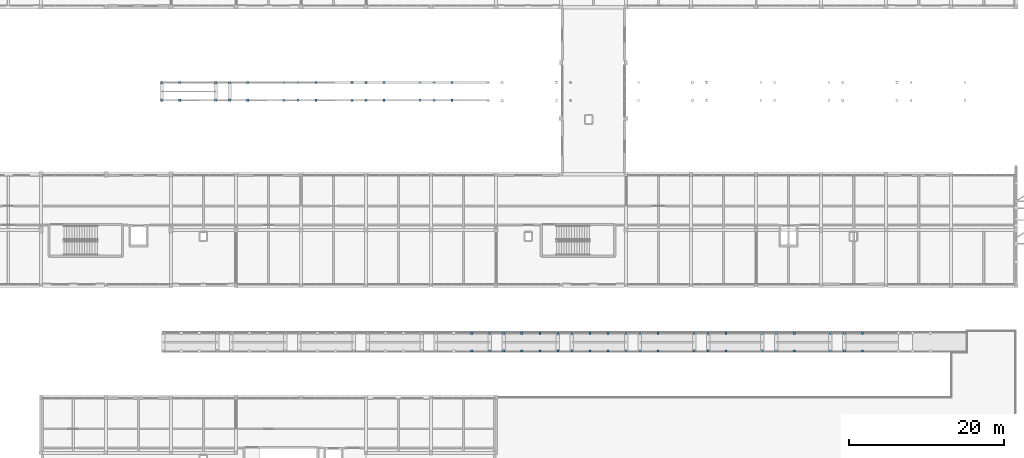
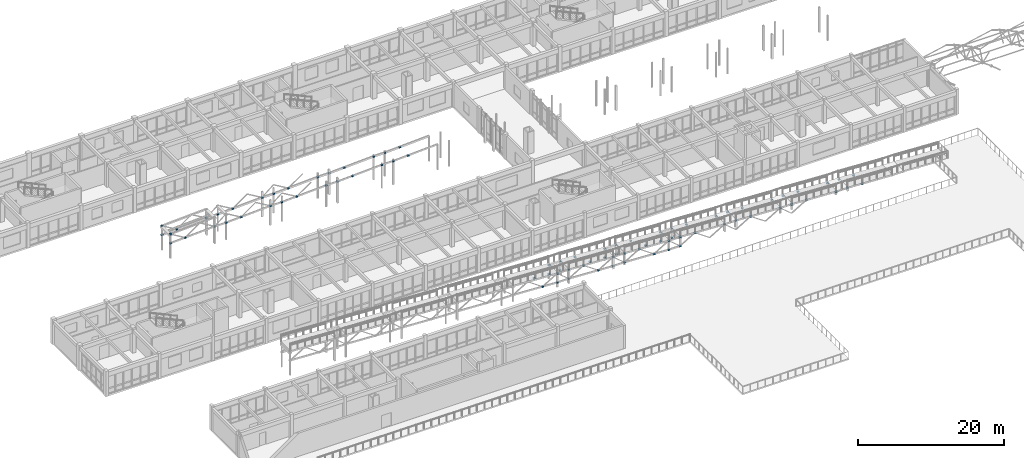
# One storey, part 71 of 89: 84 plates.
"""IFC4 building model written with IfcOpenShell, lengths in metres."""

from ifc_helpers import new_model, si_unit, direction, frame, origin, origin_2d, place, context, subcontext, project, spatial, rectangle, extrude, material, layer, layer_set, type_object, element, save


model = new_model("IFC4")

# Units and contexts
model_context = context("Model", 3, precision=1e-05, world=origin(), true_north=direction((0.0, 1.0)))
body_context = subcontext(model_context, "Body", "Model", "MODEL_VIEW")
ifc_project = project(units=[si_unit("LENGTHUNIT", "METRE"), si_unit("AREAUNIT", "SQUARE_METRE"), si_unit("VOLUMEUNIT", "CUBIC_METRE"), si_unit("PLANEANGLEUNIT", "RADIAN"), si_unit("MASSUNIT", "GRAM", prefix="KILO")], contexts=[model_context])

# Site, building, storey
site_placement = place(None, origin())
site = spatial("IfcSite", under=ifc_project, at=site_placement, CompositionType="ELEMENT")
building_placement = place(site_placement, origin())
building = spatial("IfcBuilding", under=site, at=building_placement, Name="Malvenik Polytechnic", CompositionType="ELEMENT")
storey_placement = place(building_placement, frame((0.0, 0.0, 13.5)))
storey = spatial("IfcBuildingStorey", under=building, at=storey_placement, Name="L03", CompositionType="ELEMENT", Elevation=13.5)

# Plates
ifc_material = material(Name="Steel S355J2H", Category="steel")
ifc_layer = layer(ifc_material, 0.034912109375)
ifc_layer_set = layer_set([ifc_layer], Name="Steel S355J2H")
plate_type = type_object("IfcPlateType", Name="STR-PLT-NP-03", PredefinedType="USERDEFINED", material=ifc_layer_set)
for number, where, z_axis, x_axis, name in (
    (1, (112.199951171875, 70.75, 0.3701171875), (0.0, 0.0, 1.0), (1.0, 0.0, 0.0), "Warren Joint Node Plate RB-02"),
    (2, (110.39990234375, 70.75, 0.3701171875), (0.0, 0.0, 1.0), (1.0, 0.0, 0.0), "Warren Joint Node Plate RB-02"),
    (3, (103.39990234375, 70.75, 0.72021484375), (0.0, 0.0, 1.0), (1.0, 0.0, 0.0), "Warren Joint Node Plate RB-02"),
    (4, (101.60009765625, 70.75, 0.72021484375), (0.0, 0.0, 1.0), (1.0, 0.0, 0.0), "Warren Joint Node Plate RB-02"),
    (5, (94.60009765625, 70.75, 1.06982421875), (0.0, 0.0, 1.0), (1.0, 0.0, 0.0), "Warren Joint Node Plate RB-02"),
    (6, (92.800048828125, 70.75, 1.06982421875), (0.0, 0.0, 1.0), (1.0, 0.0, 0.0), "Warren Joint Node Plate RB-02"),
    (7, (85.800048828125, 70.75, 1.419921875), (0.0, 0.0, 1.0), (1.0, 0.0, 0.0), "Warren Joint Node Plate RB-02"),
    (8, (85.800048828125, 70.75, -0.080078125), (0.0, 0.0, 1.0), (1.0, 0.0, 0.0), "Warren Joint Node Plate RB-02"),
    (9, (84.0, 70.75, 1.419921875), (0.0, 0.0, 1.0), (1.0, 0.0, 0.0), "Warren Joint Node Plate RB-02"),
    (10, (84.0, 70.75, -0.080078125), (0.0, 0.0, 1.0), (1.0, 0.0, 0.0), "Warren Joint Node Plate RB-02"),
    (11, (77.0, 70.75, 1.77001953125), (0.0, 0.0, 1.0), (1.0, 0.0, 0.0), "Warren Joint Node Plate RB-02"),
    (12, (77.0, 70.75, 0.27001953125), (0.0, 0.0, 1.0), (1.0, 0.0, 0.0), "Warren Joint Node Plate RB-02"),
    (13, (75.199951171875, 70.75, 1.77001953125), (0.0, 0.0, 1.0), (1.0, 0.0, 0.0), "Warren Joint Node Plate RB-02"),
    (14, (75.199951171875, 70.75, 0.27001953125), (0.0, 0.0, 1.0), (1.0, 0.0, 0.0), "Warren Joint Node Plate RB-02"),
    (15, (68.199951171875, 70.75, 2.1201171875), (0.0, 0.0, 1.0), (1.0, 0.0, 0.0), "Warren Joint Node Plate RB-02"),
    (16, (68.199951171875, 70.75, 0.6201171875), (0.0, 0.0, 1.0), (1.0, 0.0, 0.0), "Warren Joint Node Plate RB-02"),
    (17, (66.39990234375, 70.75, 2.1201171875), (0.0, 0.0, 1.0), (1.0, 0.0, 0.0), "Warren Joint Node Plate RB-02"),
    (18, (66.39990234375, 70.75, 0.6201171875), (0.0, 0.0, 1.0), (1.0, 0.0, 0.0), "Warren Joint Node Plate RB-02"),
    (19, (114.533203125, 70.75, 0.25341796875), (0.0, 0.0, 1.0), (1.0, 0.0, 0.0), "Warren Web Node Plate RB-02"),
    (20, (105.7333984375, 70.75, 0.603515625), (0.0, 0.0, 1.0), (1.0, 0.0, 0.0), "Warren Web Node Plate RB-02"),
    (21, (96.933349609375, 70.75, 0.953125), (0.0, 0.0, 1.0), (1.0, 0.0, 0.0), "Warren Web Node Plate RB-02"),
    (22, (88.13330078125, 70.75, 1.30322265625), (0.0, 0.0, 1.0), (1.0, 0.0, 0.0), "Warren Web Node Plate RB-02"),
    (23, (81.666748046875, 70.75, 0.03662109375), (0.0, 0.0, 1.0), (1.0, 0.0, 0.0), "Warren Web Node Plate RB-02"),
    (24, (79.333251953125, 70.75, 1.6533203125), (0.0, 0.0, 1.0), (1.0, 0.0, 0.0), "Warren Web Node Plate RB-02"),
    (25, (72.86669921875, 70.75, 0.38671875), (0.0, 0.0, 1.0), (1.0, 0.0, 0.0), "Warren Web Node Plate RB-02"),
    (26, (70.533203125, 70.75, 2.00341796875), (0.0, 0.0, 1.0), (1.0, 0.0, 0.0), "Warren Web Node Plate RB-02"),
    (27, (64.066650390625, 70.75, 0.73681640625), (0.0, 0.0, 1.0), (1.0, 0.0, 0.0), "Warren Web Node Plate RB-02"),
    (28, (112.199951171875, 73.050048828125, 0.3701171875), (0.0, 0.0, 1.0), (1.0, 0.0, 0.0), "Warren Joint Node Plate RB-02"),
    (29, (110.39990234375, 73.050048828125, 0.3701171875), (0.0, 0.0, 1.0), (1.0, 0.0, 0.0), "Warren Joint Node Plate RB-02"),
    (30, (103.39990234375, 73.050048828125, 0.72021484375), (0.0, 0.0, 1.0), (1.0, 0.0, 0.0), "Warren Joint Node Plate RB-02"),
    (31, (101.60009765625, 73.050048828125, 0.72021484375), (0.0, 0.0, 1.0), (1.0, 0.0, 0.0), "Warren Joint Node Plate RB-02"),
    (32, (94.60009765625, 73.050048828125, 1.06982421875), (0.0, 0.0, 1.0), (1.0, 0.0, 0.0), "Warren Joint Node Plate RB-02"),
    (33, (92.800048828125, 73.050048828125, 1.06982421875), (0.0, 0.0, 1.0), (1.0, 0.0, 0.0), "Warren Joint Node Plate RB-02"),
    (34, (85.800048828125, 73.050048828125, 1.419921875), (0.0, 0.0, 1.0), (1.0, 0.0, 0.0), "Warren Joint Node Plate RB-02"),
    (35, (85.800048828125, 73.050048828125, -0.080078125), (0.0, 0.0, 1.0), (1.0, 0.0, 0.0), "Warren Joint Node Plate RB-02"),
    (36, (84.0, 73.050048828125, 1.419921875), (0.0, 0.0, 1.0), (1.0, 0.0, 0.0), "Warren Joint Node Plate RB-02"),
    (37, (84.0, 73.050048828125, -0.080078125), (0.0, 0.0, 1.0), (1.0, 0.0, 0.0), "Warren Joint Node Plate RB-02"),
    (38, (77.0, 73.050048828125, 1.77001953125), (0.0, 0.0, 1.0), (1.0, 0.0, 0.0), "Warren Joint Node Plate RB-02"),
    (39, (77.0, 73.050048828125, 0.27001953125), (0.0, 0.0, 1.0), (1.0, 0.0, 0.0), "Warren Joint Node Plate RB-02"),
    (40, (75.199951171875, 73.050048828125, 1.77001953125), (0.0, 0.0, 1.0), (1.0, 0.0, 0.0), "Warren Joint Node Plate RB-02"),
    (41, (75.199951171875, 73.050048828125, 0.27001953125), (0.0, 0.0, 1.0), (1.0, 0.0, 0.0), "Warren Joint Node Plate RB-02"),
    (42, (68.199951171875, 73.050048828125, 2.1201171875), (0.0, 0.0, 1.0), (1.0, 0.0, 0.0), "Warren Joint Node Plate RB-02"),
    (43, (68.199951171875, 73.050048828125, 0.6201171875), (0.0, 0.0, 1.0), (1.0, 0.0, 0.0), "Warren Joint Node Plate RB-02"),
    (44, (66.39990234375, 73.050048828125, 2.1201171875), (0.0, 0.0, 1.0), (1.0, 0.0, 0.0), "Warren Joint Node Plate RB-02"),
    (45, (66.39990234375, 73.050048828125, 0.6201171875), (0.0, 0.0, 1.0), (1.0, 0.0, 0.0), "Warren Joint Node Plate RB-02"),
    (46, (114.533203125, 73.050048828125, 0.25341796875), (0.0, 0.0, 1.0), (1.0, 0.0, 0.0), "Warren Web Node Plate RB-02"),
    (47, (105.7333984375, 73.050048828125, 0.603515625), (0.0, 0.0, 1.0), (1.0, 0.0, 0.0), "Warren Web Node Plate RB-02"),
    (48, (96.933349609375, 73.050048828125, 0.953125), (0.0, 0.0, 1.0), (1.0, 0.0, 0.0), "Warren Web Node Plate RB-02"),
    (49, (88.13330078125, 73.050048828125, 1.30322265625), (0.0, 0.0, 1.0), (1.0, 0.0, 0.0), "Warren Web Node Plate RB-02"),
    (50, (81.666748046875, 73.050048828125, 0.03662109375), (0.0, 0.0, 1.0), (1.0, 0.0, 0.0), "Warren Web Node Plate RB-02"),
    (51, (79.333251953125, 73.050048828125, 1.6533203125), (0.0, 0.0, 1.0), (1.0, 0.0, 0.0), "Warren Web Node Plate RB-02"),
    (52, (72.86669921875, 73.050048828125, 0.38671875), (0.0, 0.0, 1.0), (1.0, 0.0, 0.0), "Warren Web Node Plate RB-02"),
    (53, (70.533203125, 73.050048828125, 2.00341796875), (0.0, 0.0, 1.0), (1.0, 0.0, 0.0), "Warren Web Node Plate RB-02"),
    (54, (64.066650390625, 73.050048828125, 0.73681640625), (0.0, 0.0, 1.0), (1.0, 0.0, 0.0), "Warren Web Node Plate RB-02"),
    (55, (24.0, 103.14990234375, 3.8701171875), (0.0, 0.0, 1.0), (1.0, 0.0, 0.0), "Warren Joint Node Plate RB-03"),
    (56, (24.0, 103.14990234375, 2.3701171875), (0.0, 0.0, 1.0), (1.0, 0.0, 0.0), "Warren Joint Node Plate RB-03"),
    (57, (31.0, 103.14990234375, 2.72021484375), (0.0, 0.0, 1.0), (1.0, 0.0, 0.0), "Warren Joint Node Plate RB-03"),
    (58, (32.800048828125, 103.14990234375, 2.72021484375), (0.0, 0.0, 1.0), (1.0, 0.0, 0.0), "Warren Joint Node Plate RB-03"),
    (59, (39.800048828125, 103.14990234375, 3.06982421875), (0.0, 0.0, 1.0), (1.0, 0.0, 0.0), "Warren Joint Node Plate RB-03"),
    (60, (41.60009765625, 103.14990234375, 3.06982421875), (0.0, 0.0, 1.0), (1.0, 0.0, 0.0), "Warren Joint Node Plate RB-03"),
    (61, (48.60009765625, 103.14990234375, 3.419921875), (0.0, 0.0, 1.0), (1.0, 0.0, 0.0), "Warren Joint Node Plate RB-03"),
    (62, (50.39990234375, 103.14990234375, 3.419921875), (0.0, 0.0, 1.0), (1.0, 0.0, 0.0), "Warren Joint Node Plate RB-03"),
    (63, (57.39990234375, 103.14990234375, 3.77001953125), (0.0, 0.0, 1.0), (1.0, 0.0, 0.0), "Warren Joint Node Plate RB-03"),
    (64, (59.199951171875, 103.14990234375, 3.77001953125), (0.0, 0.0, 1.0), (1.0, 0.0, 0.0), "Warren Joint Node Plate RB-03"),
    (65, (26.333251953125, 103.14990234375, 2.48681640625), (0.0, 0.0, 1.0), (1.0, 0.0, 0.0), "Warren Web Node Plate RB-03"),
    (66, (35.13330078125, 103.14990234375, 2.8369140625), (0.0, 0.0, 1.0), (1.0, 0.0, 0.0), "Warren Web Node Plate RB-03"),
    (67, (43.933349609375, 103.14990234375, 3.1865234375), (0.0, 0.0, 1.0), (1.0, 0.0, 0.0), "Warren Web Node Plate RB-03"),
    (68, (52.7333984375, 103.14990234375, 3.53662109375), (0.0, 0.0, 1.0), (1.0, 0.0, 0.0), "Warren Web Node Plate RB-03"),
    (69, (61.533203125, 103.14990234375, 3.88671875), (0.0, 0.0, 1.0), (1.0, 0.0, 0.0), "Warren Web Node Plate RB-03"),
    (70, (24.0, 105.449951171875, 3.8701171875), (0.0, 0.0, 1.0), (1.0, 0.0, 0.0), "Warren Joint Node Plate RB-03"),
    (71, (24.0, 105.449951171875, 2.3701171875), (0.0, 0.0, 1.0), (1.0, 0.0, 0.0), "Warren Joint Node Plate RB-03"),
    (72, (31.0, 105.449951171875, 2.72021484375), (0.0, 0.0, 1.0), (1.0, 0.0, 0.0), "Warren Joint Node Plate RB-03"),
    (73, (32.800048828125, 105.449951171875, 2.72021484375), (0.0, 0.0, 1.0), (1.0, 0.0, 0.0), "Warren Joint Node Plate RB-03"),
    (74, (39.800048828125, 105.449951171875, 3.06982421875), (0.0, 0.0, 1.0), (1.0, 0.0, 0.0), "Warren Joint Node Plate RB-03"),
    (75, (41.60009765625, 105.449951171875, 3.06982421875), (0.0, 0.0, 1.0), (1.0, 0.0, 0.0), "Warren Joint Node Plate RB-03"),
    (76, (48.60009765625, 105.449951171875, 3.419921875), (0.0, 0.0, 1.0), (1.0, 0.0, 0.0), "Warren Joint Node Plate RB-03"),
    (77, (50.39990234375, 105.449951171875, 3.419921875), (0.0, 0.0, 1.0), (1.0, 0.0, 0.0), "Warren Joint Node Plate RB-03"),
    (78, (57.39990234375, 105.449951171875, 3.77001953125), (0.0, 0.0, 1.0), (1.0, 0.0, 0.0), "Warren Joint Node Plate RB-03"),
    (79, (59.199951171875, 105.449951171875, 3.77001953125), (0.0, 0.0, 1.0), (1.0, 0.0, 0.0), "Warren Joint Node Plate RB-03"),
    (80, (26.333251953125, 105.449951171875, 2.48681640625), (0.0, 0.0, 1.0), (1.0, 0.0, 0.0), "Warren Web Node Plate RB-03"),
    (81, (35.13330078125, 105.449951171875, 2.8369140625), (0.0, 0.0, 1.0), (1.0, 0.0, 0.0), "Warren Web Node Plate RB-03"),
    (82, (43.933349609375, 105.449951171875, 3.1865234375), (0.0, 0.0, 1.0), (1.0, 0.0, 0.0), "Warren Web Node Plate RB-03"),
    (83, (52.7333984375, 105.449951171875, 3.53662109375), (0.0, 0.0, 1.0), (1.0, 0.0, 0.0), "Warren Web Node Plate RB-03"),
    (84, (61.533203125, 105.449951171875, 3.88671875), (0.0, 0.0, 1.0), (1.0, 0.0, 0.0), "Warren Web Node Plate RB-03"),
):
    element("IfcPlate", number, at=place(storey_placement, frame(where, z_axis=z_axis, x_axis=x_axis)), inside=storey, type_object=plate_type, Name=name, ObjectType="GUSSET PLATE", PredefinedType="USERDEFINED", context=body_context, shape_type="SweptSolid", body=[
        extrude(rectangle(XDim=0.280029296875, YDim=0.280029296875, at=origin_2d()), origin(), (0.0, 0.0, 1.0), 0.219970703125),
    ])

save(model, "model.ifc")
